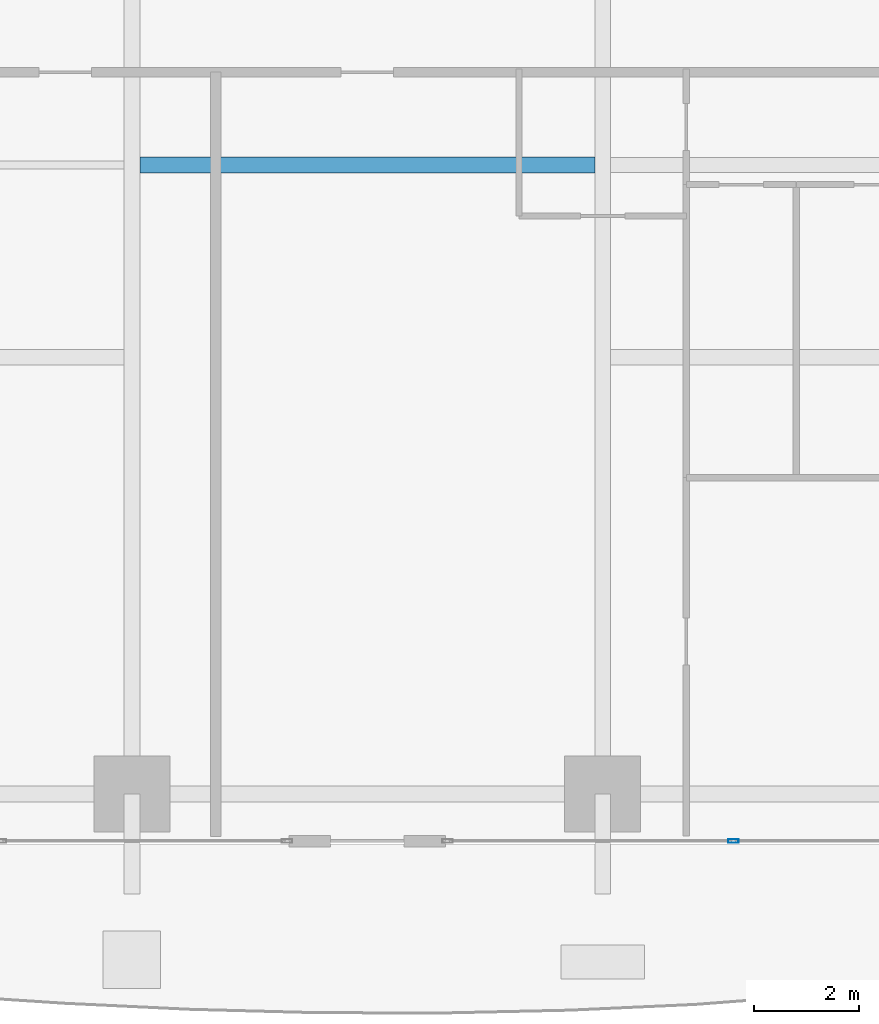
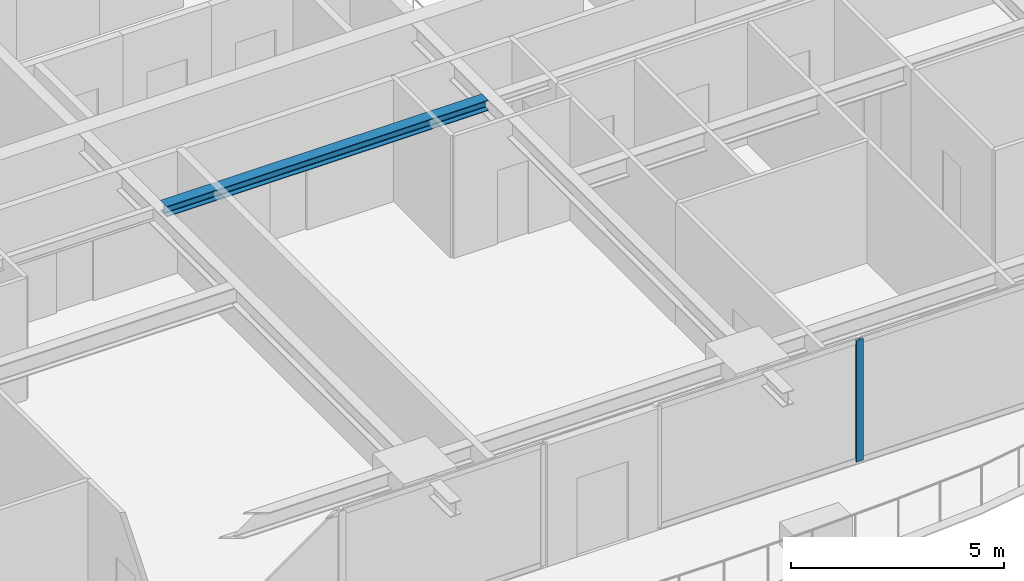
# One storey, part 10 of 39: 1 beam, 1 member, 1 element without a shape of its own.
"""IFC4 building model written with IfcOpenShell, lengths in metres."""

import ifcopenshell
import ifcopenshell.guid

model = None  # the IFC model being written
_history = None  # IfcOwnerHistory: only IFC2X3 demands one
_inside = {}  # id of a spatial element -> (the spatial element, [elements in it])
_under = {}  # id of a project, library or spatial element -> (it, [spatial elements below it])
_declared = {}  # id of a project -> (the project, [libraries it declares])
_typed = {}  # id of a type object -> (the type object, [elements of that type])
_made_of = {}  # id of a material, layer set ... -> (it, [elements and type objects made of it])


def new_model(schema):
    """Start an empty IFC model of exactly this schema.

    Asked for "IFC4X3", IfcOpenShell would pick the latest addendum, in which some entities
    have other attributes; the version numbers below select the first issue.
    IFC2X3 requires an IfcOwnerHistory on every rooted entity: one is made here for all.
    """
    global model, _history
    if schema == "IFC4X3":
        model = ifcopenshell.file(schema_version=(4, 3, 0, 0))
    else:
        model = ifcopenshell.file(schema=schema)
    _inside.clear()
    _under.clear()
    _declared.clear()
    _typed.clear()
    _made_of.clear()
    _history = None
    if model.schema == "IFC2X3":
        org = make("IfcOrganization", Name="unknown")
        user = make(
            "IfcPersonAndOrganization",
            ThePerson=make("IfcPerson", FamilyName="unknown"),
            TheOrganization=org,
        )
        app = make(
            "IfcApplication",
            ApplicationDeveloper=org,
            Version="unknown",
            ApplicationFullName="unknown",
            ApplicationIdentifier="unknown",
        )
        _history = make(
            "IfcOwnerHistory",
            OwningUser=user,
            OwningApplication=app,
            ChangeAction="ADDED",
            CreationDate=0,
        )
    return model


def make(cls, **values):
    """One entity of the class cls with the attributes given. An attribute that is None is left unset."""
    return model.create_entity(
        cls, **{name: value for name, value in values.items() if value is not None}
    )


def rooted(cls, **values):
    """An entity with a GlobalId (a new one), such as an element, a storey or a relation."""
    return make(cls, GlobalId=ifcopenshell.guid.new(), OwnerHistory=_history, **values)


def si_unit(unit_type, name, prefix=None):
    """IfcSIUnit, for example si_unit("LENGTHUNIT", "METRE", prefix="MILLI")."""
    return make("IfcSIUnit", UnitType=unit_type, Prefix=prefix, Name=name)


def assignment(units):
    """IfcUnitAssignment: the units of a project."""
    return None if units is None else make("IfcUnitAssignment", Units=units)


def point(xyz):
    """IfcCartesianPoint."""
    return None if xyz is None else make("IfcCartesianPoint", Coordinates=xyz)


def direction(xyz):
    """IfcDirection."""
    return None if xyz is None else make("IfcDirection", DirectionRatios=xyz)


def frame(location, z_axis=None, x_axis=None):
    """IfcAxis2Placement3D, a coordinate frame: its origin and axes. An axis left out is left unset."""
    return make(
        "IfcAxis2Placement3D",
        Location=point(location),
        Axis=direction(z_axis),
        RefDirection=direction(x_axis),
    )


def frame_2d(location, x_axis=None):
    """IfcAxis2Placement2D, a coordinate frame in the plane: its origin and x axis."""
    return make(
        "IfcAxis2Placement2D", Location=point(location), RefDirection=direction(x_axis)
    )


def origin():
    """The frame at (0, 0, 0) with its axes left unset."""
    return frame((0.0, 0.0, 0.0))


def origin_2d():
    """The frame at (0, 0) in the plane with its x axis left unset."""
    return frame_2d((0.0, 0.0))


def place(relative_to, where):
    """IfcLocalPlacement: puts the frame where relative to a parent placement (None: the world)."""
    return make(
        "IfcLocalPlacement", PlacementRelTo=relative_to, RelativePlacement=where
    )


def context(
    kind, dimensions, precision=None, world=None, true_north=None, identifier=None
):
    """IfcGeometricRepresentationContext, for example the 3D "Model" context."""
    return make(
        "IfcGeometricRepresentationContext",
        ContextIdentifier=identifier,
        ContextType=kind,
        CoordinateSpaceDimension=dimensions,
        Precision=precision,
        WorldCoordinateSystem=world,
        TrueNorth=true_north,
    )


def subcontext(parent, identifier, kind, view, scale=None):
    """IfcGeometricRepresentationSubContext, for example "Body" below "Model"."""
    return make(
        "IfcGeometricRepresentationSubContext",
        ContextIdentifier=identifier,
        ContextType=kind,
        ParentContext=parent,
        TargetScale=scale,
        TargetView=view,
    )


def project(units=None, contexts=None):
    """IfcProject with its units and contexts."""
    return rooted(
        "IfcProject",
        Name="project",
        RepresentationContexts=contexts,
        UnitsInContext=assignment(units),
    )


def spatial(cls, under=None, at=None, **own):
    """A site, building, storey or space (cls), placed at a placement, below another one or the project."""
    s = rooted(cls, ObjectPlacement=at, **own)
    if under is not None:
        _under.setdefault(under.id(), (under, []))[1].append(s)
    return s


def profile(cls, at=None, kind="AREA", **sizes):
    """A parametric profile (cls). Its sizes go by their IFC names, for example OverallWidth=200.0."""
    return make(cls, ProfileType=kind, Position=at, **sizes)


def hollow_rectangle(**sizes):
    """IfcRectangleHollowProfileDef."""
    return profile("IfcRectangleHollowProfileDef", **sizes)


def i_section(**sizes):
    """IfcIShapeProfileDef."""
    return profile("IfcIShapeProfileDef", **sizes)


def extrude(swept, where, along, depth):
    """IfcExtrudedAreaSolid: the profile swept, set in the frame where, extruded along a direction by depth."""
    return make(
        "IfcExtrudedAreaSolid",
        SweptArea=swept,
        Position=where,
        ExtrudedDirection=direction(along),
        Depth=depth,
    )


def shape(context_of_items, identifier, shape_type, items):
    """IfcShapeRepresentation: the items that make up one representation, for example the "Body"."""
    return make(
        "IfcShapeRepresentation",
        ContextOfItems=context_of_items,
        RepresentationIdentifier=identifier,
        RepresentationType=shape_type,
        Items=items,
    )


def source(mapping_origin, context_of_items, identifier, shape_type, items):
    """IfcRepresentationMap: a shape defined once, which mapped items show again and again."""
    return make(
        "IfcRepresentationMap",
        MappingOrigin=mapping_origin,
        MappedRepresentation=shape(context_of_items, identifier, shape_type, items),
    )


def transform(
    local_origin,
    x_axis=None,
    y_axis=None,
    z_axis=None,
    scale=None,
    scale2=None,
    scale3=None,
    uniform=True,
):
    """IfcCartesianTransformationOperator3D, or its non-uniform kind. x_axis, y_axis, z_axis: its Axis1, 2, 3."""
    if uniform:
        return make(
            "IfcCartesianTransformationOperator3D",
            Axis1=direction(x_axis),
            Axis2=direction(y_axis),
            LocalOrigin=point(local_origin),
            Scale=scale,
            Axis3=direction(z_axis),
        )
    return make(
        "IfcCartesianTransformationOperator3DnonUniform",
        Axis1=direction(x_axis),
        Axis2=direction(y_axis),
        LocalOrigin=point(local_origin),
        Scale=scale,
        Axis3=direction(z_axis),
        Scale2=scale2,
        Scale3=scale3,
    )


def mapped(mapping_source, mapping_target):
    """IfcMappedItem: shows the shape of a source again, moved by a transform."""
    return make(
        "IfcMappedItem", MappingSource=mapping_source, MappingTarget=mapping_target
    )


def material(Name=None, Category=None):
    """IfcMaterial."""
    return make("IfcMaterial", Name=Name, Category=Category)


def layer(
    of_material, thickness, ventilated=None, Name=None, Category=None, Priority=None
):
    """IfcMaterialLayer: one layer of a wall or slab, of a material (None: an air gap)."""
    return make(
        "IfcMaterialLayer",
        Material=of_material,
        LayerThickness=thickness,
        IsVentilated=ventilated,
        Name=Name,
        Category=Category,
        Priority=Priority,
    )


def layer_set(layers, Name=None):
    """IfcMaterialLayerSet."""
    return make("IfcMaterialLayerSet", MaterialLayers=layers, LayerSetName=Name)


def material_profile(
    of_material, cross_section, Name=None, Category=None, Priority=None
):
    """IfcMaterialProfile: a cross section and its material."""
    return make(
        "IfcMaterialProfile",
        Name=Name,
        Material=of_material,
        Profile=cross_section,
        Priority=Priority,
        Category=Category,
    )


def profile_set(profiles, Name=None, composite=None):
    """IfcMaterialProfileSet."""
    return make(
        "IfcMaterialProfileSet",
        Name=Name,
        MaterialProfiles=profiles,
        CompositeProfile=composite,
    )


def made_of(thing, what):
    """Note that an element or type object is made of a material, layer set ...; save() writes the relation."""
    if what is not None:
        _made_of.setdefault(what.id(), (what, []))[1].append(thing)
    return thing


def type_object(cls, material=None, **own):
    """A type object (cls), such as IfcWallType, which elements share."""
    return made_of(rooted(cls, **own), material)


def element(
    cls,
    number,
    at=None,
    inside=None,
    cuts=None,
    type_object=None,
    material=None,
    context=None,
    identifier="Body",
    shape_type=None,
    held_by="IfcProductDefinitionShape",
    body=None,
    shapes=None,
    **own,
):
    """One element of the class cls, such as IfcWall. Its Tag is "e" and its number.

    at: its placement. inside: the storey or other place that contains it. cuts: it is an
    opening in that element (IfcRelVoidsElement). A single representation is given by context,
    identifier, shape_type and body (its items); several are given by shapes. held_by: the class
    of the entity that holds the representations. save() writes the other relations.
    """
    e = rooted(cls, Tag="e%d" % number, ObjectPlacement=at, **own)
    if body is not None:
        shapes = [shape(context, identifier, shape_type, body)]
    if shapes is not None:
        e.Representation = make(held_by, Representations=shapes)
    if inside is not None:
        _inside.setdefault(inside.id(), (inside, []))[1].append(e)
    if cuts is not None:
        rooted(
            "IfcRelVoidsElement", RelatingBuildingElement=cuts, RelatedOpeningElement=e
        )
    if type_object is not None:
        _typed.setdefault(type_object.id(), (type_object, []))[1].append(e)
    return made_of(e, material)


def aggregate(whole, parts):
    """IfcRelAggregates: a whole, such as a stair, and the parts it consists of."""
    return rooted("IfcRelAggregates", RelatingObject=whole, RelatedObjects=parts)


def save(model, path):
    """Write the relations noted so far, then the file.

    IfcRelAggregates (storeys below a building ...), IfcRelContainedInSpatialStructure (elements
    in a storey), IfcRelDefinesByType, IfcRelAssociatesMaterial and IfcRelDeclares: one each for
    every whole, place, type object, material and project.
    """
    for whole, parts in _under.values():
        aggregate(whole, parts)
    for where, things in _inside.values():
        rooted(
            "IfcRelContainedInSpatialStructure",
            RelatedElements=things,
            RelatingStructure=where,
        )
    for kind, things in _typed.values():
        rooted("IfcRelDefinesByType", RelatedObjects=things, RelatingType=kind)
    for what, things in _made_of.values():
        rooted("IfcRelAssociatesMaterial", RelatedObjects=things, RelatingMaterial=what)
    for by, libraries in _declared.values():
        rooted("IfcRelDeclares", RelatingContext=by, RelatedDefinitions=libraries)
    model.write(path)


model = new_model("IFC4")

# Units and contexts
model_context = context("Model", 3, precision=1e-05, world=origin(), true_north=direction((0.0, 1.0)))
body_context = subcontext(model_context, "Body", "Model", "MODEL_VIEW")
ifc_project = project(units=[si_unit("LENGTHUNIT", "METRE"), si_unit("AREAUNIT", "SQUARE_METRE"), si_unit("VOLUMEUNIT", "CUBIC_METRE"), si_unit("PLANEANGLEUNIT", "RADIAN"), si_unit("MASSUNIT", "GRAM", prefix="KILO")], contexts=[model_context])

# Site, building, storey
site_placement = place(None, origin())
site = spatial("IfcSite", under=ifc_project, at=site_placement, CompositionType="ELEMENT")
building_placement = place(site_placement, origin())
building = spatial("IfcBuilding", under=site, at=building_placement, Name="Serunith Strait Residences", CompositionType="ELEMENT")
storey_placement = place(building_placement, frame((0.0, 0.0, 79.199951171875)))
storey = spatial("IfcBuildingStorey", under=building, at=storey_placement, Name="L19", CompositionType="ELEMENT", Elevation=79.199951171875)

# Beam
ifc_material_1 = material(Name="Steel S355J2", Category="steel")
ifc_material_profile_1 = material_profile(ifc_material_1, i_section(OverallWidth=0.300048828125, OverallDepth=0.300048828125, WebThickness=0.010986328125, FlangeThickness=0.01904296875, FilletRadius=0.027099609375, at=origin_2d()), Name="HEB 300")
ifc_profile_set_1 = profile_set([ifc_material_profile_1], Name="Steel S355J2")
beam_type = type_object("IfcBeamType", Name="BM-HEB300", PredefinedType="JOIST", material=ifc_profile_set_1)
shared_shape_1 = source(origin(), body_context, "Body", "SweptSolid", [
    extrude(i_section(OverallWidth=0.300048828125, OverallDepth=0.300048828125, WebThickness=0.010986328125, FlangeThickness=0.01904296875, FilletRadius=0.027099609375, at=origin_2d()), origin(), (0.0, 0.0, 1.0), 8.699951171875),
])
beam_placement = place(storey_placement, frame((28.050048828125, 13.125, 3.337158203125), z_axis=(1.0, 0.0, 0.0), x_axis=(0.0, 1.0, 0.0)))
element("IfcBeam", 1, at=beam_placement, inside=storey, type_object=beam_type, Name="L19 Composite Floor Joist 02", PredefinedType="JOIST", context=body_context, shape_type="MappedRepresentation", body=[
    mapped(shared_shape_1, transform((0.0, 0.0, 0.0), scale=1.0)),
])

# Curtain wall, member
ifc_material_2 = material(Name="Pale-Champagne Anodised Aluminium", Category="aluminium")
ifc_layer = layer(ifc_material_2, 0.199951171875, Name="Pale-Champagne Anodised Aluminium")
ifc_layer_set = layer_set([ifc_layer], Name="Pale-Champagne Anodised Aluminium")
curtain_wall_type = type_object("IfcCurtainWallType", Name="CW-SYS1", PredefinedType="NOTDEFINED", material=ifc_layer_set)
curtain_wall_placement = place(storey_placement, origin())
curtain_wall = element("IfcCurtainWall", 2, at=curtain_wall_placement, inside=storey, type_object=curtain_wall_type, Name="L19 S Unitised Fritted Curtain Wall", PredefinedType="NOTDEFINED")
ifc_material_profile_2 = material_profile(ifc_material_2, hollow_rectangle(XDim=0.070068359375, YDim=0.199951171875, WallThickness=0.00390625, InnerFilletRadius=0.006103515625, OuterFilletRadius=0.010009765625, at=origin_2d()), Name="ALU 200x70x4")
ifc_profile_set_2 = profile_set([ifc_material_profile_2], Name="Pale-Champagne Anodised Aluminium")
member_type = type_object("IfcMemberType", Name="CW-SYS1-MULL", PredefinedType="MULLION", material=ifc_profile_set_2)
shared_shape_2 = source(origin(), body_context, "Body", "SweptSolid", [
    extrude(hollow_rectangle(XDim=0.070068359375, YDim=0.199951171875, WallThickness=0.00390625, InnerFilletRadius=0.006103515625, OuterFilletRadius=0.010009765625, at=origin_2d()), origin(), (0.0, 0.0, 1.0), 3.47509765625),
])
member_placement = place(storey_placement, frame((39.39990234375, 0.199951171875, 0.0), z_axis=(0.0, 0.0, 1.0), x_axis=(0.0, 1.0, 0.0)))
member = element("IfcMember", 3, at=member_placement, type_object=member_type, Name="CW-1 mullion 2", PredefinedType="MULLION", context=body_context, shape_type="MappedRepresentation", body=[
    mapped(shared_shape_2, transform((0.0, 0.0, 0.0), scale=1.0)),
])
aggregate(curtain_wall, [member])

save(model, "model.ifc")
